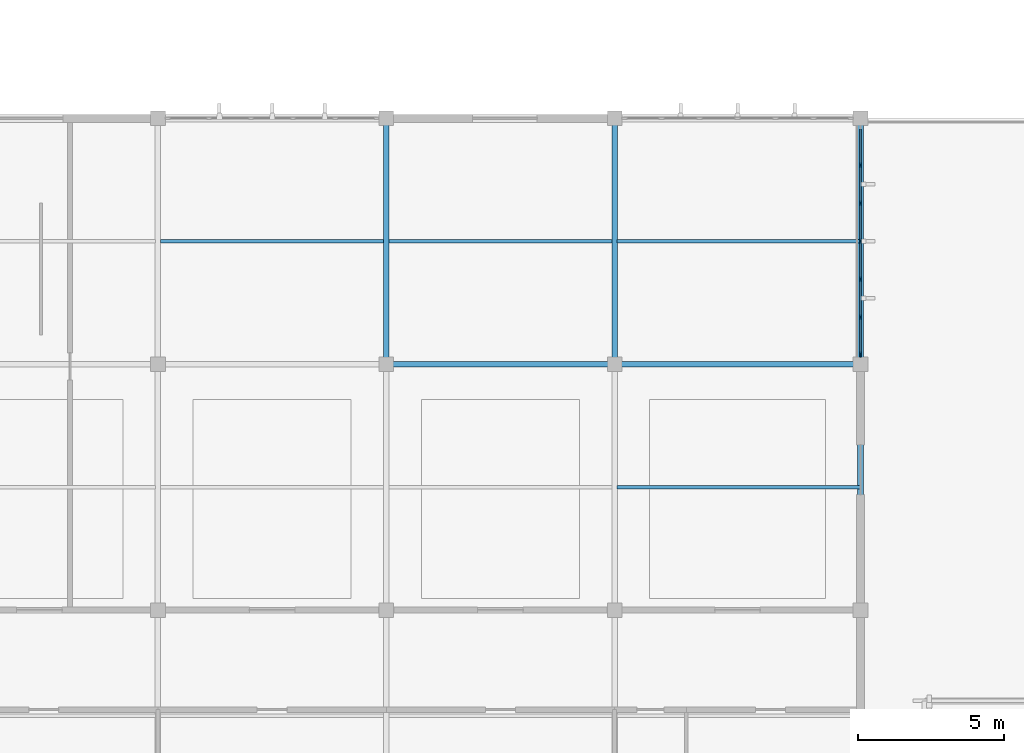
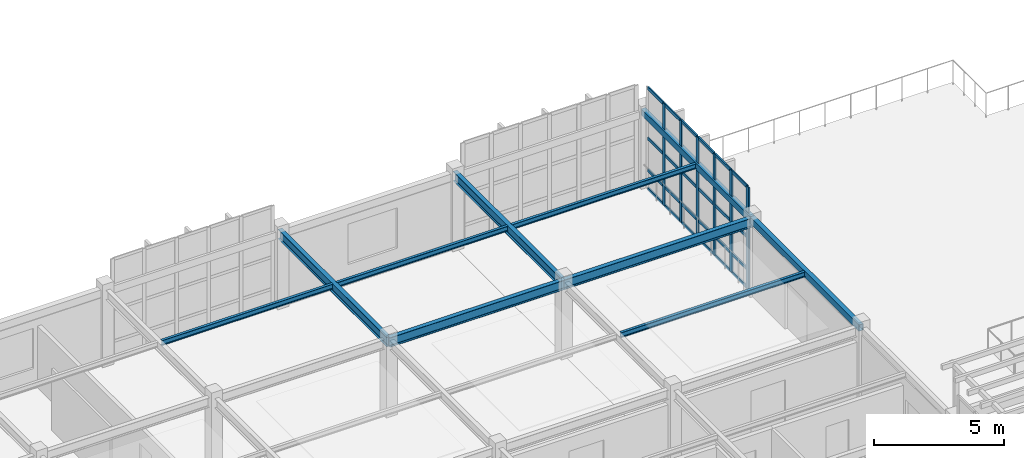
# One storey, part 6 of 20: 30 members, 10 beams, 1 element without a shape of its own.
"""IFC4 building model written with IfcOpenShell, lengths in metres."""

from ifc_helpers import new_model, si_unit, direction, frame, origin, origin_2d, place, context, subcontext, project, spatial, rectangle, hollow_rectangle, i_section, extrude, material, material_profile, profile_set, type_object, element, aggregate, save


model = new_model("IFC4")

# Units and contexts
model_context = context("Model", 3, precision=1e-05, world=origin(), true_north=direction((0.0, 1.0)))
body_context = subcontext(model_context, "Body", "Model", "MODEL_VIEW")
ifc_project = project(units=[si_unit("LENGTHUNIT", "METRE"), si_unit("AREAUNIT", "SQUARE_METRE"), si_unit("VOLUMEUNIT", "CUBIC_METRE"), si_unit("PLANEANGLEUNIT", "RADIAN"), si_unit("MASSUNIT", "GRAM", prefix="KILO")], contexts=[model_context])

# Site, building, storey
site_placement = place(None, origin())
site = spatial("IfcSite", under=ifc_project, at=site_placement, CompositionType="ELEMENT")
building_placement = place(site_placement, origin())
building = spatial("IfcBuilding", under=site, at=building_placement, Name="Tizgana Railside Sports Hall", CompositionType="ELEMENT")
storey_placement = place(building_placement, frame((0.0, 0.0, 19.800048828125)))
storey = spatial("IfcBuildingStorey", under=building, at=storey_placement, Name="L04", CompositionType="ELEMENT", Elevation=19.800048828125)

# Curtain wall, members
ifc_material_1 = material(Name="Anodised aluminium and glass", Category="aluminium")
curtain_wall_type = type_object("IfcCurtainWallType", Name="Unitised Curtain Wall Studio 1400", PredefinedType="NOTDEFINED", material=ifc_material_1)
curtain_wall_placement = place(storey_placement, origin())
curtain_wall = element("IfcCurtainWall", 1, at=curtain_wall_placement, inside=storey, type_object=curtain_wall_type, Name="L04 Curtain Wall CW-0146", PredefinedType="NOTDEFINED")
ifc_material_2 = material(Name="Anodised aluminium", Category="aluminium")
ifc_material_profile_1 = material_profile(ifc_material_2, rectangle(XDim=0.06005859375, YDim=0.179931640625, at=origin_2d()), Name="Mullion 60x180")
ifc_profile_set_1 = profile_set([ifc_material_profile_1], Name="Anodised aluminium")
member_type_1 = type_object("IfcMemberType", Name="Mullion 60x180", PredefinedType="MULLION", material=ifc_profile_set_1)
member_1_placement = place(storey_placement, frame((63.0, 30.796630859375, 0.0), z_axis=(0.0, 0.0, 1.0), x_axis=(1.0, 0.0, 0.0)))
member_1 = element("IfcMember", 2, at=member_1_placement, type_object=member_type_1, Name="CW-03 mullion 2", PredefinedType="MULLION", context=body_context, shape_type="SweptSolid", body=[
    extrude(rectangle(XDim=0.06005859375, YDim=0.179931640625, at=origin_2d()), origin(), (0.0, 0.0, 1.0), 4.800048828125),
])
member_2_placement = place(storey_placement, frame((63.0, 29.498291015625, 0.0), z_axis=(0.0, 0.0, 1.0), x_axis=(1.0, 0.0, 0.0)))
member_2 = element("IfcMember", 3, at=member_2_placement, type_object=member_type_1, Name="CW-03 mullion 3", PredefinedType="MULLION", context=body_context, shape_type="SweptSolid", body=[
    extrude(rectangle(XDim=0.06005859375, YDim=0.179931640625, at=origin_2d()), origin(), (0.0, 0.0, 1.0), 4.800048828125),
])
member_3_placement = place(storey_placement, frame((63.0, 28.199951171875, 0.0), z_axis=(0.0, 0.0, 1.0), x_axis=(1.0, 0.0, 0.0)))
member_3 = element("IfcMember", 4, at=member_3_placement, type_object=member_type_1, Name="CW-03 mullion 4", PredefinedType="MULLION", context=body_context, shape_type="SweptSolid", body=[
    extrude(rectangle(XDim=0.06005859375, YDim=0.179931640625, at=origin_2d()), origin(), (0.0, 0.0, 1.0), 4.800048828125),
])
member_4_placement = place(storey_placement, frame((63.0, 26.901611328125, 0.0), z_axis=(0.0, 0.0, 1.0), x_axis=(1.0, 0.0, 0.0)))
member_4 = element("IfcMember", 5, at=member_4_placement, type_object=member_type_1, Name="CW-03 mullion 5", PredefinedType="MULLION", context=body_context, shape_type="SweptSolid", body=[
    extrude(rectangle(XDim=0.06005859375, YDim=0.179931640625, at=origin_2d()), origin(), (0.0, 0.0, 1.0), 4.800048828125),
])
member_5_placement = place(storey_placement, frame((63.0, 25.603271484375, 0.0), z_axis=(0.0, 0.0, 1.0), x_axis=(1.0, 0.0, 0.0)))
member_5 = element("IfcMember", 6, at=member_5_placement, type_object=member_type_1, Name="CW-03 mullion 6", PredefinedType="MULLION", context=body_context, shape_type="SweptSolid", body=[
    extrude(rectangle(XDim=0.06005859375, YDim=0.179931640625, at=origin_2d()), origin(), (0.0, 0.0, 1.0), 4.800048828125),
])
member_6_placement = place(storey_placement, frame((63.0, 24.3349609375, 0.0), z_axis=(0.0, 0.0, 1.0), x_axis=(1.0, 0.0, 0.0)))
member_6 = element("IfcMember", 7, at=member_6_placement, type_object=member_type_1, Name="CW-03 mullion 7", PredefinedType="MULLION", context=body_context, shape_type="SweptSolid", body=[
    extrude(rectangle(XDim=0.06005859375, YDim=0.179931640625, at=origin_2d()), origin(), (0.0, 0.0, 1.0), 4.800048828125),
])

# Beams
ifc_material_3 = material(Name="Steel S355J2", Category="steel")
ifc_material_profile_2 = material_profile(ifc_material_3, i_section(OverallWidth=0.18994140625, OverallDepth=0.449951171875, WebThickness=0.009521484375, FlangeThickness=0.0146484375, FilletRadius=0.02099609375, at=origin_2d()), Name="IPE 450")
ifc_profile_set_2 = profile_set([ifc_material_profile_2], Name="Steel S355J2")
beam_type_1 = type_object("IfcBeamType", Name="Steel Beam IPE 450", PredefinedType="BEAM", material=ifc_profile_set_2)
for number, where, z_axis, x_axis, name in (
    (8, (46.800048828125, 24.0, 3.370849609375), (0.0, 1.0, 0.0), (-1.0, 0.0, 0.0), "L04 BEM-0806"),
    (9, (54.60009765625, 24.0, 3.370849609375), (0.0, 1.0, 0.0), (-1.0, 0.0, 0.0), "L04 BEM-0810"),
):
    element("IfcBeam", number, at=place(storey_placement, frame(where, z_axis=z_axis, x_axis=x_axis)), inside=storey, type_object=beam_type_1, Name=name, PredefinedType="BEAM", context=body_context, shape_type="SweptSolid", body=[
        extrude(i_section(OverallWidth=0.18994140625, OverallDepth=0.449951171875, WebThickness=0.009521484375, FlangeThickness=0.0146484375, FilletRadius=0.02099609375, at=origin_2d()), origin(), (0.0, 0.0, 1.0), 8.39990234375),
    ])
beam_1_placement = place(storey_placement, frame((46.800048828125, 24.0, 3.370849609375), z_axis=(1.0, 0.0, 0.0), x_axis=(0.0, 1.0, 0.0)))
element("IfcBeam", 10, at=beam_1_placement, inside=storey, type_object=beam_type_1, Name="L04 BEM-0855", PredefinedType="BEAM", context=body_context, shape_type="SweptSolid", body=[
    extrude(i_section(OverallWidth=0.18994140625, OverallDepth=0.449951171875, WebThickness=0.009521484375, FlangeThickness=0.0146484375, FilletRadius=0.02099609375, at=origin_2d()), origin(), (0.0, 0.0, 1.0), 7.800048828125),
])
beam_2_placement = place(storey_placement, frame((54.60009765625, 24.0, 3.370849609375), z_axis=(1.0, 0.0, 0.0), x_axis=(0.0, 1.0, 0.0)))
element("IfcBeam", 11, at=beam_2_placement, inside=storey, type_object=beam_type_1, Name="L04 BEM-0862", PredefinedType="BEAM", context=body_context, shape_type="SweptSolid", body=[
    extrude(i_section(OverallWidth=0.18994140625, OverallDepth=0.449951171875, WebThickness=0.009521484375, FlangeThickness=0.0146484375, FilletRadius=0.02099609375, at=origin_2d()), origin(), (0.0, 0.0, 1.0), 8.39990234375),
])
ifc_material_profile_3 = material_profile(ifc_material_3, i_section(OverallWidth=0.1201171875, OverallDepth=0.239990234375, WebThickness=0.006103515625, FlangeThickness=0.009765625, FilletRadius=0.014892578125, at=origin_2d()), Name="IPE 240")
ifc_profile_set_3 = profile_set([ifc_material_profile_3], Name="Steel S355J2")
beam_type_2 = type_object("IfcBeamType", Name="Steel Joist IPE 240", PredefinedType="JOIST", material=ifc_profile_set_3)
beam_3_placement = place(storey_placement, frame((39.090087890625, 28.199951171875, 3.475830078125), z_axis=(1.0, 0.0, 0.0), x_axis=(0.0, 1.0, 0.0)))
element("IfcBeam", 12, at=beam_3_placement, inside=storey, type_object=beam_type_2, Name="L04 BEM-0852", PredefinedType="JOIST", context=body_context, shape_type="SweptSolid", body=[
    extrude(i_section(OverallWidth=0.1201171875, OverallDepth=0.239990234375, WebThickness=0.006103515625, FlangeThickness=0.009765625, FilletRadius=0.014892578125, at=origin_2d()), origin(), (0.0, 0.0, 1.0), 7.619873046875),
])
beam_4_placement = place(storey_placement, frame((46.889892578125, 28.199951171875, 3.475830078125), z_axis=(1.0, 0.0, 0.0), x_axis=(0.0, 1.0, 0.0)))
element("IfcBeam", 13, at=beam_4_placement, inside=storey, type_object=beam_type_2, Name="L04 BEM-0859", PredefinedType="JOIST", context=body_context, shape_type="SweptSolid", body=[
    extrude(i_section(OverallWidth=0.1201171875, OverallDepth=0.239990234375, WebThickness=0.006103515625, FlangeThickness=0.009765625, FilletRadius=0.014892578125, at=origin_2d()), origin(), (0.0, 0.0, 1.0), 7.6201171875),
])
for number, where, z_axis, x_axis, name in (
    (14, (54.68994140625, 19.800048828125, 3.475830078125), (1.0, 0.0, 0.0), (0.0, 1.0, 0.0), "L04 BEM-0865"),
    (15, (54.68994140625, 28.199951171875, 3.475830078125), (1.0, 0.0, 0.0), (0.0, 1.0, 0.0), "L04 BEM-0866"),
):
    element("IfcBeam", number, at=place(storey_placement, frame(where, z_axis=z_axis, x_axis=x_axis)), inside=storey, type_object=beam_type_2, Name=name, PredefinedType="JOIST", context=body_context, shape_type="SweptSolid", body=[
        extrude(i_section(OverallWidth=0.1201171875, OverallDepth=0.239990234375, WebThickness=0.006103515625, FlangeThickness=0.009765625, FilletRadius=0.014892578125, at=origin_2d()), origin(), (0.0, 0.0, 1.0), 8.31005859375),
    ])
ifc_material_profile_4 = material_profile(ifc_material_3, hollow_rectangle(XDim=0.199951171875, YDim=0.300048828125, WallThickness=0.010009765625, at=origin_2d()), Name="RHS 300x200x10")
ifc_profile_set_4 = profile_set([ifc_material_profile_4], Name="Steel S355J2")
beam_type_3 = type_object("IfcBeamType", Name="Steel Spandrel RHS 300x200x10", PredefinedType="SPANDREL", material=ifc_profile_set_4)
for number, where, z_axis, x_axis, name in (
    (16, (63.0, 15.60009765625, 3.449951171875), (0.0, 1.0, 0.0), (-1.0, 0.0, 0.0), "L04 BEM-0812"),
    (17, (63.0, 24.0, 3.449951171875), (0.0, 1.0, 0.0), (-1.0, 0.0, 0.0), "L04 BEM-0813"),
):
    element("IfcBeam", number, at=place(storey_placement, frame(where, z_axis=z_axis, x_axis=x_axis)), inside=storey, type_object=beam_type_3, Name=name, PredefinedType="SPANDREL", context=body_context, shape_type="SweptSolid", body=[
        extrude(hollow_rectangle(XDim=0.199951171875, YDim=0.300048828125, WallThickness=0.010009765625, at=origin_2d()), origin(), (0.0, 0.0, 1.0), 8.39990234375),
    ])

# Member
ifc_material_profile_5 = material_profile(ifc_material_2, rectangle(XDim=0.06005859375, YDim=0.14990234375, at=origin_2d()), Name="Transom 60x150")
ifc_profile_set_5 = profile_set([ifc_material_profile_5], Name="Anodised aluminium")
member_type_2 = type_object("IfcMemberType", Name="Transom 60x150", PredefinedType="USERDEFINED", material=ifc_profile_set_5)
member_7_placement = place(storey_placement, frame((63.0, 32.034912109375, 0.030029296875), z_axis=(0.0, -1.0, 0.0), x_axis=(1.0, 0.0, 0.0)))
member_7 = element("IfcMember", 18, at=member_7_placement, type_object=member_type_2, Name="CW-03 transom 1.1", ObjectType="TRANSOM", PredefinedType="USERDEFINED", context=body_context, shape_type="SweptSolid", body=[
    extrude(rectangle(XDim=0.06005859375, YDim=0.14990234375, at=origin_2d()), origin(), (0.0, 0.0, 1.0), 1.208251953125),
])

member_8_placement = place(storey_placement, frame((63.0, 32.034912109375, 0.89990234375), z_axis=(0.0, -1.0, 0.0), x_axis=(1.0, 0.0, 0.0)))
member_8 = element("IfcMember", 19, at=member_8_placement, type_object=member_type_2, Name="CW-03 transom 1.2", ObjectType="TRANSOM", PredefinedType="USERDEFINED", context=body_context, shape_type="SweptSolid", body=[
    extrude(rectangle(XDim=0.06005859375, YDim=0.14990234375, at=origin_2d()), origin(), (0.0, 0.0, 1.0), 1.208251953125),
])

member_9_placement = place(storey_placement, frame((63.0, 32.034912109375, 2.39990234375), z_axis=(0.0, -1.0, 0.0), x_axis=(1.0, 0.0, 0.0)))
member_9 = element("IfcMember", 20, at=member_9_placement, type_object=member_type_2, Name="CW-03 transom 1.3", ObjectType="TRANSOM", PredefinedType="USERDEFINED", context=body_context, shape_type="SweptSolid", body=[
    extrude(rectangle(XDim=0.06005859375, YDim=0.14990234375, at=origin_2d()), origin(), (0.0, 0.0, 1.0), 1.208251953125),
])

member_10_placement = place(storey_placement, frame((63.0, 32.034912109375, 4.77001953125), z_axis=(0.0, -1.0, 0.0), x_axis=(1.0, 0.0, 0.0)))
member_10 = element("IfcMember", 21, at=member_10_placement, type_object=member_type_2, Name="CW-03 transom 1.4", ObjectType="TRANSOM", PredefinedType="USERDEFINED", context=body_context, shape_type="SweptSolid", body=[
    extrude(rectangle(XDim=0.06005859375, YDim=0.14990234375, at=origin_2d()), origin(), (0.0, 0.0, 1.0), 1.208251953125),
])

member_11_placement = place(storey_placement, frame((63.0, 30.7666015625, 0.030029296875), z_axis=(0.0, -1.0, 0.0), x_axis=(1.0, 0.0, 0.0)))
member_11 = element("IfcMember", 22, at=member_11_placement, type_object=member_type_2, Name="CW-03 transom 2.1", ObjectType="TRANSOM", PredefinedType="USERDEFINED", context=body_context, shape_type="SweptSolid", body=[
    extrude(rectangle(XDim=0.06005859375, YDim=0.14990234375, at=origin_2d()), origin(), (0.0, 0.0, 1.0), 1.23828125),
])

member_12_placement = place(storey_placement, frame((63.0, 30.7666015625, 0.89990234375), z_axis=(0.0, -1.0, 0.0), x_axis=(1.0, 0.0, 0.0)))
member_12 = element("IfcMember", 23, at=member_12_placement, type_object=member_type_2, Name="CW-03 transom 2.2", ObjectType="TRANSOM", PredefinedType="USERDEFINED", context=body_context, shape_type="SweptSolid", body=[
    extrude(rectangle(XDim=0.06005859375, YDim=0.14990234375, at=origin_2d()), origin(), (0.0, 0.0, 1.0), 1.23828125),
])

member_13_placement = place(storey_placement, frame((63.0, 30.7666015625, 2.39990234375), z_axis=(0.0, -1.0, 0.0), x_axis=(1.0, 0.0, 0.0)))
member_13 = element("IfcMember", 24, at=member_13_placement, type_object=member_type_2, Name="CW-03 transom 2.3", ObjectType="TRANSOM", PredefinedType="USERDEFINED", context=body_context, shape_type="SweptSolid", body=[
    extrude(rectangle(XDim=0.06005859375, YDim=0.14990234375, at=origin_2d()), origin(), (0.0, 0.0, 1.0), 1.23828125),
])

member_14_placement = place(storey_placement, frame((63.0, 30.7666015625, 4.77001953125), z_axis=(0.0, -1.0, 0.0), x_axis=(1.0, 0.0, 0.0)))
member_14 = element("IfcMember", 25, at=member_14_placement, type_object=member_type_2, Name="CW-03 transom 2.4", ObjectType="TRANSOM", PredefinedType="USERDEFINED", context=body_context, shape_type="SweptSolid", body=[
    extrude(rectangle(XDim=0.06005859375, YDim=0.14990234375, at=origin_2d()), origin(), (0.0, 0.0, 1.0), 1.23828125),
])

member_15_placement = place(storey_placement, frame((63.0, 29.46826171875, 0.030029296875), z_axis=(0.0, -1.0, 0.0), x_axis=(1.0, 0.0, 0.0)))
member_15 = element("IfcMember", 26, at=member_15_placement, type_object=member_type_2, Name="CW-03 transom 3.1", ObjectType="TRANSOM", PredefinedType="USERDEFINED", context=body_context, shape_type="SweptSolid", body=[
    extrude(rectangle(XDim=0.06005859375, YDim=0.14990234375, at=origin_2d()), origin(), (0.0, 0.0, 1.0), 1.23828125),
])

member_16_placement = place(storey_placement, frame((63.0, 29.46826171875, 0.89990234375), z_axis=(0.0, -1.0, 0.0), x_axis=(1.0, 0.0, 0.0)))
member_16 = element("IfcMember", 27, at=member_16_placement, type_object=member_type_2, Name="CW-03 transom 3.2", ObjectType="TRANSOM", PredefinedType="USERDEFINED", context=body_context, shape_type="SweptSolid", body=[
    extrude(rectangle(XDim=0.06005859375, YDim=0.14990234375, at=origin_2d()), origin(), (0.0, 0.0, 1.0), 1.23828125),
])

member_17_placement = place(storey_placement, frame((63.0, 29.46826171875, 2.39990234375), z_axis=(0.0, -1.0, 0.0), x_axis=(1.0, 0.0, 0.0)))
member_17 = element("IfcMember", 28, at=member_17_placement, type_object=member_type_2, Name="CW-03 transom 3.3", ObjectType="TRANSOM", PredefinedType="USERDEFINED", context=body_context, shape_type="SweptSolid", body=[
    extrude(rectangle(XDim=0.06005859375, YDim=0.14990234375, at=origin_2d()), origin(), (0.0, 0.0, 1.0), 1.23828125),
])

member_18_placement = place(storey_placement, frame((63.0, 29.46826171875, 4.77001953125), z_axis=(0.0, -1.0, 0.0), x_axis=(1.0, 0.0, 0.0)))
member_18 = element("IfcMember", 29, at=member_18_placement, type_object=member_type_2, Name="CW-03 transom 3.4", ObjectType="TRANSOM", PredefinedType="USERDEFINED", context=body_context, shape_type="SweptSolid", body=[
    extrude(rectangle(XDim=0.06005859375, YDim=0.14990234375, at=origin_2d()), origin(), (0.0, 0.0, 1.0), 1.23828125),
])

member_19_placement = place(storey_placement, frame((63.0, 28.169921875, 0.030029296875), z_axis=(0.0, -1.0, 0.0), x_axis=(1.0, 0.0, 0.0)))
member_19 = element("IfcMember", 30, at=member_19_placement, type_object=member_type_2, Name="CW-03 transom 4.1", ObjectType="TRANSOM", PredefinedType="USERDEFINED", context=body_context, shape_type="SweptSolid", body=[
    extrude(rectangle(XDim=0.06005859375, YDim=0.14990234375, at=origin_2d()), origin(), (0.0, 0.0, 1.0), 1.23828125),
])

member_20_placement = place(storey_placement, frame((63.0, 28.169921875, 0.89990234375), z_axis=(0.0, -1.0, 0.0), x_axis=(1.0, 0.0, 0.0)))
member_20 = element("IfcMember", 31, at=member_20_placement, type_object=member_type_2, Name="CW-03 transom 4.2", ObjectType="TRANSOM", PredefinedType="USERDEFINED", context=body_context, shape_type="SweptSolid", body=[
    extrude(rectangle(XDim=0.06005859375, YDim=0.14990234375, at=origin_2d()), origin(), (0.0, 0.0, 1.0), 1.23828125),
])

member_21_placement = place(storey_placement, frame((63.0, 28.169921875, 2.39990234375), z_axis=(0.0, -1.0, 0.0), x_axis=(1.0, 0.0, 0.0)))
member_21 = element("IfcMember", 32, at=member_21_placement, type_object=member_type_2, Name="CW-03 transom 4.3", ObjectType="TRANSOM", PredefinedType="USERDEFINED", context=body_context, shape_type="SweptSolid", body=[
    extrude(rectangle(XDim=0.06005859375, YDim=0.14990234375, at=origin_2d()), origin(), (0.0, 0.0, 1.0), 1.23828125),
])

member_22_placement = place(storey_placement, frame((63.0, 28.169921875, 4.77001953125), z_axis=(0.0, -1.0, 0.0), x_axis=(1.0, 0.0, 0.0)))
member_22 = element("IfcMember", 33, at=member_22_placement, type_object=member_type_2, Name="CW-03 transom 4.4", ObjectType="TRANSOM", PredefinedType="USERDEFINED", context=body_context, shape_type="SweptSolid", body=[
    extrude(rectangle(XDim=0.06005859375, YDim=0.14990234375, at=origin_2d()), origin(), (0.0, 0.0, 1.0), 1.23828125),
])

member_23_placement = place(storey_placement, frame((63.0, 26.87158203125, 0.030029296875), z_axis=(0.0, -1.0, 0.0), x_axis=(1.0, 0.0, 0.0)))
member_23 = element("IfcMember", 34, at=member_23_placement, type_object=member_type_2, Name="CW-03 transom 5.1", ObjectType="TRANSOM", PredefinedType="USERDEFINED", context=body_context, shape_type="SweptSolid", body=[
    extrude(rectangle(XDim=0.06005859375, YDim=0.14990234375, at=origin_2d()), origin(), (0.0, 0.0, 1.0), 1.23828125),
])

member_24_placement = place(storey_placement, frame((63.0, 26.87158203125, 0.89990234375), z_axis=(0.0, -1.0, 0.0), x_axis=(1.0, 0.0, 0.0)))
member_24 = element("IfcMember", 35, at=member_24_placement, type_object=member_type_2, Name="CW-03 transom 5.2", ObjectType="TRANSOM", PredefinedType="USERDEFINED", context=body_context, shape_type="SweptSolid", body=[
    extrude(rectangle(XDim=0.06005859375, YDim=0.14990234375, at=origin_2d()), origin(), (0.0, 0.0, 1.0), 1.23828125),
])

member_25_placement = place(storey_placement, frame((63.0, 26.87158203125, 2.39990234375), z_axis=(0.0, -1.0, 0.0), x_axis=(1.0, 0.0, 0.0)))
member_25 = element("IfcMember", 36, at=member_25_placement, type_object=member_type_2, Name="CW-03 transom 5.3", ObjectType="TRANSOM", PredefinedType="USERDEFINED", context=body_context, shape_type="SweptSolid", body=[
    extrude(rectangle(XDim=0.06005859375, YDim=0.14990234375, at=origin_2d()), origin(), (0.0, 0.0, 1.0), 1.23828125),
])

member_26_placement = place(storey_placement, frame((63.0, 26.87158203125, 4.77001953125), z_axis=(0.0, -1.0, 0.0), x_axis=(1.0, 0.0, 0.0)))
member_26 = element("IfcMember", 37, at=member_26_placement, type_object=member_type_2, Name="CW-03 transom 5.4", ObjectType="TRANSOM", PredefinedType="USERDEFINED", context=body_context, shape_type="SweptSolid", body=[
    extrude(rectangle(XDim=0.06005859375, YDim=0.14990234375, at=origin_2d()), origin(), (0.0, 0.0, 1.0), 1.23828125),
])

member_27_placement = place(storey_placement, frame((63.0, 25.5732421875, 0.030029296875), z_axis=(0.0, -1.0, 0.0), x_axis=(1.0, 0.0, 0.0)))
member_27 = element("IfcMember", 38, at=member_27_placement, type_object=member_type_2, Name="CW-03 transom 6.1", ObjectType="TRANSOM", PredefinedType="USERDEFINED", context=body_context, shape_type="SweptSolid", body=[
    extrude(rectangle(XDim=0.06005859375, YDim=0.14990234375, at=origin_2d()), origin(), (0.0, 0.0, 1.0), 1.208251953125),
])

member_28_placement = place(storey_placement, frame((63.0, 25.5732421875, 0.89990234375), z_axis=(0.0, -1.0, 0.0), x_axis=(1.0, 0.0, 0.0)))
member_28 = element("IfcMember", 39, at=member_28_placement, type_object=member_type_2, Name="CW-03 transom 6.2", ObjectType="TRANSOM", PredefinedType="USERDEFINED", context=body_context, shape_type="SweptSolid", body=[
    extrude(rectangle(XDim=0.06005859375, YDim=0.14990234375, at=origin_2d()), origin(), (0.0, 0.0, 1.0), 1.208251953125),
])

member_29_placement = place(storey_placement, frame((63.0, 25.5732421875, 2.39990234375), z_axis=(0.0, -1.0, 0.0), x_axis=(1.0, 0.0, 0.0)))
member_29 = element("IfcMember", 40, at=member_29_placement, type_object=member_type_2, Name="CW-03 transom 6.3", ObjectType="TRANSOM", PredefinedType="USERDEFINED", context=body_context, shape_type="SweptSolid", body=[
    extrude(rectangle(XDim=0.06005859375, YDim=0.14990234375, at=origin_2d()), origin(), (0.0, 0.0, 1.0), 1.208251953125),
])

member_30_placement = place(storey_placement, frame((63.0, 25.5732421875, 4.77001953125), z_axis=(0.0, -1.0, 0.0), x_axis=(1.0, 0.0, 0.0)))
member_30 = element("IfcMember", 41, at=member_30_placement, type_object=member_type_2, Name="CW-03 transom 6.4", ObjectType="TRANSOM", PredefinedType="USERDEFINED", context=body_context, shape_type="SweptSolid", body=[
    extrude(rectangle(XDim=0.06005859375, YDim=0.14990234375, at=origin_2d()), origin(), (0.0, 0.0, 1.0), 1.208251953125),
])

aggregate(curtain_wall, [member_1, member_2, member_3, member_4, member_5, member_6, member_7, member_8, member_9, member_10, member_11, member_12, member_13, member_14, member_15, member_16, member_17, member_18, member_19, member_20, member_21, member_22, member_23, member_24, member_25, member_26, member_27, member_28, member_29, member_30])

save(model, "model.ifc")
